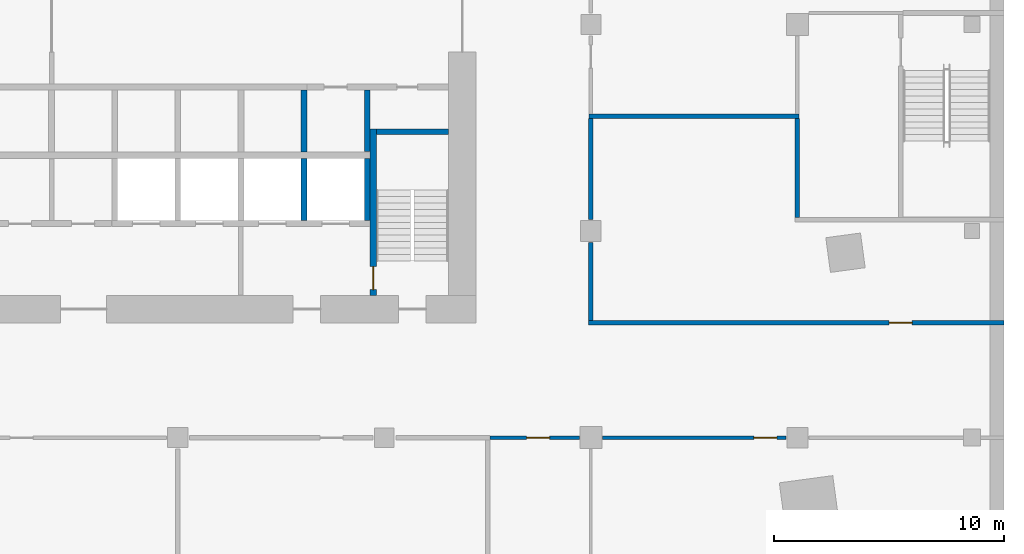
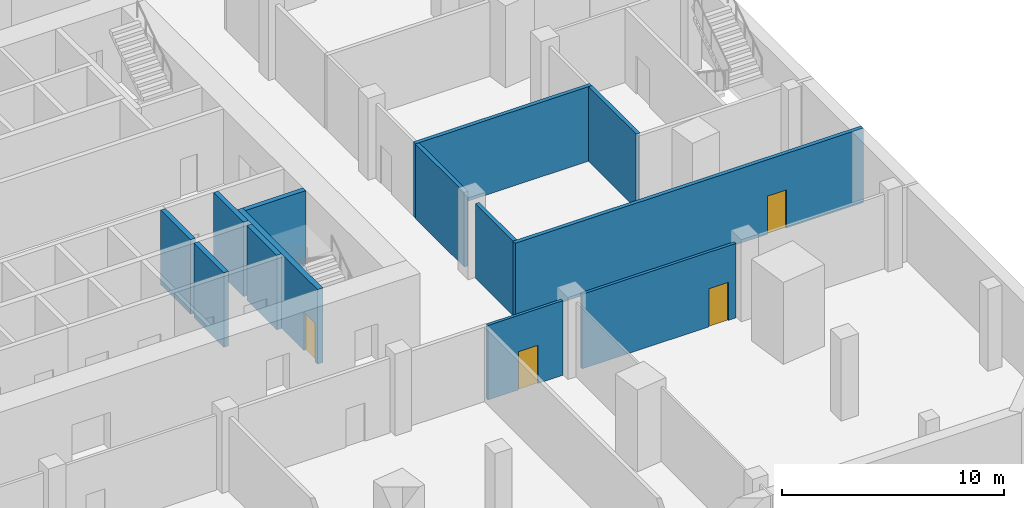
# One storey, part 3 of 11: 13 walls, 4 doors, 4 openings.
"""IFC4 building model written with IfcOpenShell, lengths in metres."""

from ifc_helpers import new_model, si_unit, direction, frame, frame_2d, origin, place, context, subcontext, project, spatial, rectangle, extrude, material, layer, layer_set, type_object, element, fill, save


model = new_model("IFC4")

# Units and contexts
model_context = context("Model", 3, precision=1e-05, world=origin(), true_north=direction((0.0, 1.0)))
body_context = subcontext(model_context, "Body", "Model", "MODEL_VIEW")
ifc_project = project(units=[si_unit("LENGTHUNIT", "METRE"), si_unit("AREAUNIT", "SQUARE_METRE"), si_unit("VOLUMEUNIT", "CUBIC_METRE"), si_unit("PLANEANGLEUNIT", "RADIAN"), si_unit("MASSUNIT", "GRAM", prefix="KILO")], contexts=[model_context])

# Site, building, storey
site_placement = place(None, origin())
site = spatial("IfcSite", under=ifc_project, at=site_placement, CompositionType="ELEMENT")
building_placement = place(site_placement, origin())
building = spatial("IfcBuilding", under=site, at=building_placement, Name="Dilmun Exchange Tower", CompositionType="ELEMENT")
storey_placement = place(building_placement, frame((0.0, 0.0, -4.5)))
storey = spatial("IfcBuildingStorey", under=building, at=storey_placement, Name="B1", CompositionType="ELEMENT", Elevation=-4.5)

# Wall
ifc_material_1 = material(Name="Concrete C40/50", Category="concrete")
ifc_layer_1 = layer(ifc_material_1, 0.25)
ifc_layer_set_1 = layer_set([ifc_layer_1], Name="Concrete C40/50")
wall_type_1 = type_object("IfcWallType", Name="Core partition wall 250", PredefinedType="PARTITIONING", material=ifc_layer_set_1)
wall_1_placement = place(storey_placement, frame((8.25, -5.544921875, 0.0), z_axis=(0.0, 0.0, 1.0), x_axis=(0.0, 1.0, 0.0)))
element("IfcWall", 1, at=wall_1_placement, inside=storey, type_object=wall_type_1, Name="B1 core partition wall 05", PredefinedType="PARTITIONING", context=body_context, shape_type="SweptSolid", body=[
    extrude(rectangle(XDim=2.68994140625, YDim=0.25, at=frame_2d((1.344970703125, 0.0))), origin(), (0.0, 0.0, 1.0), 4.10009765625),
])

# Wall, opening, door
ifc_material_2 = material(Name="Fire partition EI 60 150 gypsum")
ifc_layer_2 = layer(ifc_material_2, 0.14990234375)
ifc_layer_set_2 = layer_set([ifc_layer_2], Name="Fire partition EI 60 150 gypsum")
wall_type_2 = type_object("IfcWallType", Name="Fire partition EI 60 150 gypsum", PredefinedType="PARTITIONING", material=ifc_layer_set_2)
wall_2_placement = place(storey_placement, frame((13.60009765625, -18.0, 0.0), z_axis=(0.0, 0.0, 1.0), x_axis=(1.0, 0.0, 0.0)))
wall_2 = element("IfcWall", 2, at=wall_2_placement, inside=storey, type_object=wall_type_2, Name="B1 partition", PredefinedType="PARTITIONING", context=body_context, shape_type="SweptSolid", body=[
    extrude(rectangle(XDim=3.89990234375, YDim=0.14990234375, at=frame_2d((1.949951171875, 0.0))), origin(), (0.0, 0.0, 1.0), 4.10009765625),
])
opening_1_placement = place(wall_2_placement, frame((1.60009765625, 0.0, 0.0)))
opening_1 = element("IfcOpeningElement", 3, at=opening_1_placement, cuts=wall_2, Name="Opening B1-D015", PredefinedType="OPENING", context=body_context, shape_type="SweptSolid", body=[
    extrude(rectangle(XDim=1.0, YDim=2.10009765625, at=frame_2d((0.5, 1.050048828125))), frame((0.0, 0.0849609375, 0.0), z_axis=(0.0, -1.0, 0.0), x_axis=(1.0, 0.0, 0.0)), (0.0, 0.0, 1.0), 0.169921875),
])
ifc_material_3 = material(Name="Fire door FD60 1000 x 2100")
door_type_1 = type_object("IfcDoorType", Name="Fire door FD60 1000 x 2100", OperationType="SINGLE_SWING_LEFT", PredefinedType="DOOR", material=ifc_material_3)
door_1_placement = place(opening_1_placement, origin())
door_1 = element("IfcDoor", 4, at=door_1_placement, inside=storey, type_object=door_type_1, Name="B1 door B1-D015", OperationType="SINGLE_SWING_LEFT", OverallHeight=2.10009765625, OverallWidth=1.0, PredefinedType="DOOR", context=body_context, shape_type="SweptSolid", body=[
    extrude(rectangle(XDim=1.0, YDim=2.10009765625, at=frame_2d((0.5, 1.050048828125))), frame((0.0, 0.02490234375, 0.0), z_axis=(0.0, -1.0, 0.0), x_axis=(1.0, 0.0, 0.0)), (0.0, 0.0, 1.0), 0.050048828125),
])
fill(opening_1, door_1)

wall_3_placement = place(storey_placement, frame((18.5, -18.0, 0.0), z_axis=(0.0, 0.0, 1.0), x_axis=(1.0, 0.0, 0.0)))
wall_3 = element("IfcWall", 5, at=wall_3_placement, inside=storey, type_object=wall_type_2, Name="B1 partition", PredefinedType="PARTITIONING", context=body_context, shape_type="SweptSolid", body=[
    extrude(rectangle(XDim=8.0, YDim=0.14990234375, at=frame_2d((4.0, 0.0))), origin(), (0.0, 0.0, 1.0), 4.10009765625),
])
opening_2_placement = place(wall_3_placement, frame((6.60009765625, 0.0, 0.0)))
opening_2 = element("IfcOpeningElement", 6, at=opening_2_placement, cuts=wall_3, Name="Opening B1-D016", PredefinedType="OPENING", context=body_context, shape_type="SweptSolid", body=[
    extrude(rectangle(XDim=1.0, YDim=2.10009765625, at=frame_2d((0.5, 1.050048828125))), frame((0.0, 0.0849609375, 0.0), z_axis=(0.0, -1.0, 0.0), x_axis=(1.0, 0.0, 0.0)), (0.0, 0.0, 1.0), 0.169921875),
])
door_2_placement = place(opening_2_placement, origin())
door_2 = element("IfcDoor", 7, at=door_2_placement, inside=storey, type_object=door_type_1, Name="B1 door B1-D016", OperationType="SINGLE_SWING_RIGHT", OverallHeight=2.10009765625, OverallWidth=1.0, PredefinedType="DOOR", context=body_context, shape_type="SweptSolid", body=[
    extrude(rectangle(XDim=1.0, YDim=2.10009765625, at=frame_2d((0.5, 1.050048828125))), frame((0.0, 0.02490234375, 0.0), z_axis=(0.0, -1.0, 0.0), x_axis=(1.0, 0.0, 0.0)), (0.0, 0.0, 1.0), 0.050048828125),
])
fill(opening_2, door_2)

ifc_material_4 = material(Name="Fire wall EI 120 200 blockwork", Category="masonry")
ifc_layer_3 = layer(ifc_material_4, 0.199951171875)
ifc_layer_set_3 = layer_set([ifc_layer_3], Name="Fire wall EI 120 200 blockwork")
wall_type_3 = type_object("IfcWallType", Name="Fire wall EI 120 200 blockwork", PredefinedType="PARTITIONING", material=ifc_layer_set_3)
wall_4_placement = place(storey_placement, frame((17.89990234375, -13.0, 0.0), z_axis=(0.0, 0.0, 1.0), x_axis=(1.0, 0.0, 0.0)))
wall_4 = element("IfcWall", 8, at=wall_4_placement, inside=storey, type_object=wall_type_3, Name="B1 partition", PredefinedType="PARTITIONING", context=body_context, shape_type="SweptSolid", body=[
    extrude(rectangle(XDim=18.10009765625, YDim=0.199951171875, at=frame_2d((9.050048828125, 0.0))), origin(), (0.0, 0.0, 1.0), 4.10009765625),
])
opening_3_placement = place(wall_4_placement, frame((13.10009765625, 0.0, 0.0)))
opening_3 = element("IfcOpeningElement", 9, at=opening_3_placement, cuts=wall_4, Name="Opening B1-D020", PredefinedType="OPENING", context=body_context, shape_type="SweptSolid", body=[
    extrude(rectangle(XDim=1.0, YDim=2.10009765625, at=frame_2d((0.5, 1.050048828125))), frame((0.0, 0.10986328125, 0.0), z_axis=(0.0, -1.0, 0.0), x_axis=(1.0, 0.0, 0.0)), (0.0, 0.0, 1.0), 0.219970703125),
])
door_3_placement = place(opening_3_placement, origin())
door_3 = element("IfcDoor", 10, at=door_3_placement, inside=storey, type_object=door_type_1, Name="B1 door B1-D020", OperationType="SINGLE_SWING_RIGHT", OverallHeight=2.10009765625, OverallWidth=1.0, PredefinedType="DOOR", context=body_context, shape_type="SweptSolid", body=[
    extrude(rectangle(XDim=1.0, YDim=2.10009765625, at=frame_2d((0.5, 1.050048828125))), frame((0.0, 0.02490234375, 0.0), z_axis=(0.0, -1.0, 0.0), x_axis=(1.0, 0.0, 0.0)), (0.0, 0.0, 1.0), 0.050048828125),
])
fill(opening_3, door_3)

# Walls
wall_5_placement = place(storey_placement, frame((17.925048828125, -4.0, 0.0), z_axis=(0.0, 0.0, 1.0), x_axis=(1.0, 0.0, 0.0)))
element("IfcWall", 11, at=wall_5_placement, inside=storey, type_object=wall_type_3, Name="B1 partition", PredefinedType="PARTITIONING", context=body_context, shape_type="SweptSolid", body=[
    extrude(rectangle(XDim=9.14990234375, YDim=0.199951171875, at=frame_2d((4.574951171875, 0.0))), origin(), (0.0, 0.0, 1.0), 4.10009765625),
])
wall_6_placement = place(storey_placement, frame((18.0, -12.89990234375, 0.0), z_axis=(0.0, 0.0, 1.0), x_axis=(0.0, 1.0, 0.0)))
element("IfcWall", 12, at=wall_6_placement, inside=storey, type_object=wall_type_3, Name="B1 partition", PredefinedType="PARTITIONING", context=body_context, shape_type="SweptSolid", body=[
    extrude(rectangle(XDim=3.39990234375, YDim=0.199951171875, at=frame_2d((1.699951171875, 0.0))), origin(), (0.0, 0.0, 1.0), 4.10009765625),
])
wall_7_placement = place(storey_placement, frame((18.0, -8.5, 0.0), z_axis=(0.0, 0.0, 1.0), x_axis=(0.0, 1.0, 0.0)))
element("IfcWall", 13, at=wall_7_placement, inside=storey, type_object=wall_type_3, Name="B1 partition", PredefinedType="PARTITIONING", context=body_context, shape_type="SweptSolid", body=[
    extrude(rectangle(XDim=4.39990234375, YDim=0.199951171875, at=frame_2d((2.199951171875, 0.0))), origin(), (0.0, 0.0, 1.0), 4.10009765625),
])
wall_8_placement = place(storey_placement, frame((27.0, -8.39990234375, 0.0), z_axis=(0.0, 0.0, 1.0), x_axis=(0.0, 1.0, 0.0)))
element("IfcWall", 14, at=wall_8_placement, inside=storey, type_object=wall_type_3, Name="B1 partition", PredefinedType="PARTITIONING", context=body_context, shape_type="SweptSolid", body=[
    extrude(rectangle(XDim=4.2998046875, YDim=0.199951171875, at=frame_2d((2.14990234375, 0.0))), origin(), (0.0, 0.0, 1.0), 4.10009765625),
])
ifc_layer_4 = layer(ifc_material_1, 0.25)
ifc_layer_set_4 = layer_set([ifc_layer_4], Name="Concrete C40/50")
wall_type_4 = type_object("IfcWallType", Name="Lift shaft wall 250", PredefinedType="SOLIDWALL", material=ifc_layer_set_4)
for number, where, z_axis, x_axis, name in (
    (15, (5.5, -5.550048828125, 0.0), (0.0, 0.0, 1.0), (0.0, 1.0, 0.0), "B1 lift shaft divider S15"),
    (16, (5.5, -8.550048828125, 0.0), (0.0, 0.0, 1.0), (0.0, 1.0, 0.0), "B1 lift shaft divider S25"),
    (17, (8.25, -8.550048828125, 0.0), (0.0, 0.0, 1.0), (0.0, 1.0, 0.0), "B1 lift shaft divider S26"),
):
    element("IfcWall", number, at=place(storey_placement, frame(where, z_axis=z_axis, x_axis=x_axis)), inside=storey, type_object=wall_type_4, Name=name, PredefinedType="SOLIDWALL", context=body_context, shape_type="SweptSolid", body=[
        extrude(rectangle(XDim=2.699951171875, YDim=0.25, at=frame_2d((1.35009765625, 0.0))), origin(), (0.0, 0.0, 1.0), 4.10009765625),
    ])
ifc_layer_5 = layer(ifc_material_1, 0.25)
ifc_layer_set_5 = layer_set([ifc_layer_5], Name="Concrete C40/50")
wall_type_5 = type_object("IfcWallType", Name="Stair end wall 250", PredefinedType="SOLIDWALL", material=ifc_layer_set_5)
wall_9_placement = place(storey_placement, frame((8.64990234375, -4.675048828125, 0.0), z_axis=(0.0, 0.0, 1.0), x_axis=(1.0, 0.0, 0.0)))
element("IfcWall", 18, at=wall_9_placement, inside=storey, type_object=wall_type_5, Name="B1 ST3 far wall", PredefinedType="SOLIDWALL", context=body_context, shape_type="SweptSolid", body=[
    extrude(rectangle(XDim=3.150146484375, YDim=0.25, at=frame_2d((1.5751953125, 0.0))), origin(), (0.0, 0.0, 1.0), 4.10009765625),
])

# Wall, opening, door
ifc_layer_6 = layer(ifc_material_1, 0.27490234375)
ifc_layer_set_6 = layer_set([ifc_layer_6], Name="Concrete C40/50")
wall_type_6 = type_object("IfcWallType", Name="Stair wall 275", PredefinedType="SOLIDWALL", material=ifc_layer_set_6)
wall_10_placement = place(storey_placement, frame((8.512451171875, -4.550048828125, 0.0), z_axis=(0.0, 0.0, 1.0), x_axis=(0.0, -1.0, 0.0)))
wall_10 = element("IfcWall", 19, at=wall_10_placement, inside=storey, type_object=wall_type_6, Name="B1 ST3 wall to lift block", PredefinedType="SOLIDWALL", context=body_context, shape_type="SweptSolid", body=[
    extrude(rectangle(XDim=7.25, YDim=0.27490234375, at=frame_2d((3.625, 0.0))), origin(), (0.0, 0.0, 1.0), 4.10009765625),
])
opening_4_placement = place(wall_10_placement, frame((6.0, 0.0, 0.0)))
opening_4 = element("IfcOpeningElement", 20, at=opening_4_placement, cuts=wall_10, Name="Opening CD4", PredefinedType="OPENING", context=body_context, shape_type="SweptSolid", body=[
    extrude(rectangle(XDim=1.0, YDim=2.10009765625, at=frame_2d((0.5, 1.050048828125))), frame((0.0, 0.1474609375, 0.0), z_axis=(0.0, -1.0, 0.0), x_axis=(1.0, 0.0, 0.0)), (0.0, 0.0, 1.0), 0.294921875),
])
ifc_material_5 = material(Name="Fire-rated steel door set", Category="steel")
door_type_2 = type_object("IfcDoorType", Name="Core room door 1000x2100", OperationType="SINGLE_SWING_LEFT", PredefinedType="DOOR", material=ifc_material_5)
door_4_placement = place(opening_4_placement, origin())
door_4 = element("IfcDoor", 21, at=door_4_placement, inside=storey, type_object=door_type_2, Name="B1 door ST3 from lobby", OperationType="SINGLE_SWING_LEFT", OverallHeight=2.10009765625, OverallWidth=1.0, PredefinedType="DOOR", context=body_context, shape_type="SweptSolid", body=[
    extrude(rectangle(XDim=1.0, YDim=2.10009765625, at=frame_2d((0.5, 1.050048828125))), frame((0.0, 0.02490234375, 0.0), z_axis=(0.0, -1.0, 0.0), x_axis=(1.0, 0.0, 0.0)), (0.0, 0.0, 1.0), 0.050048828125),
])
fill(opening_4, door_4)

save(model, "model.ifc")
